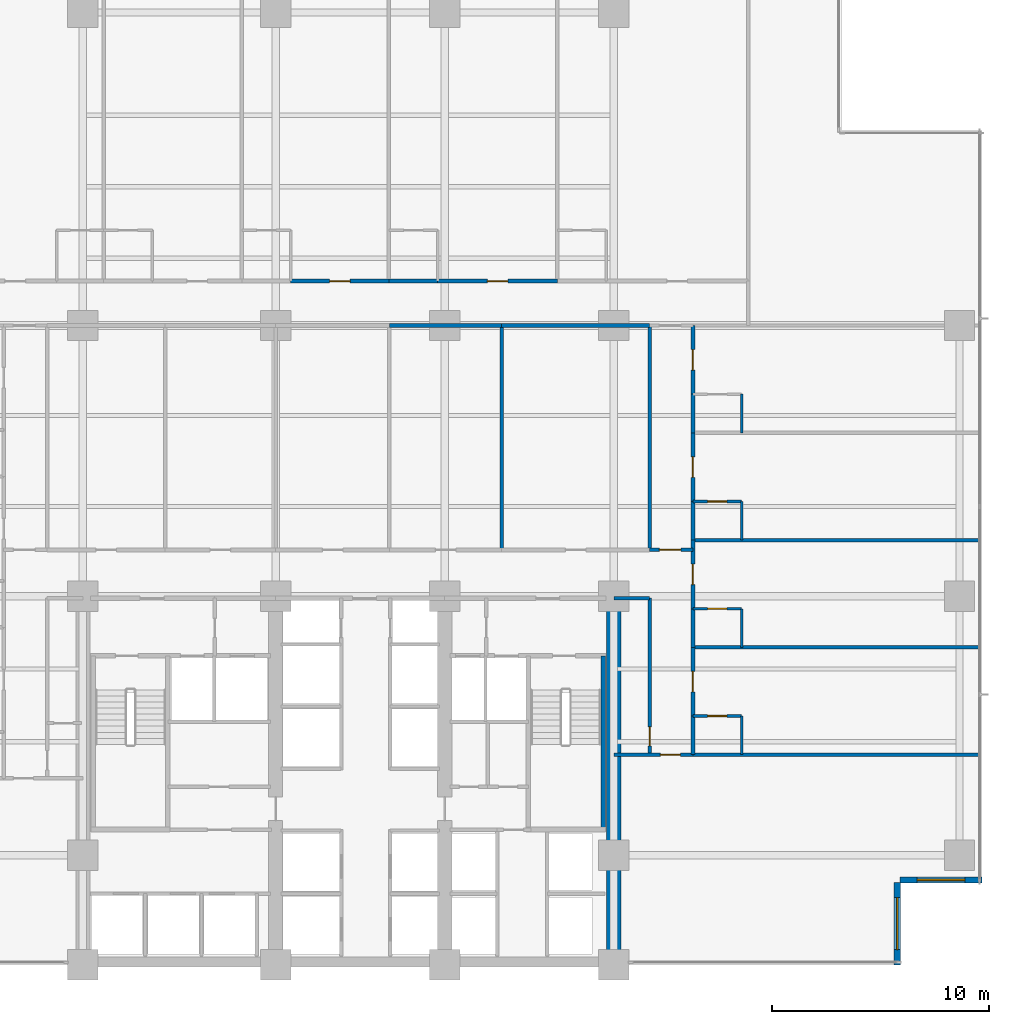
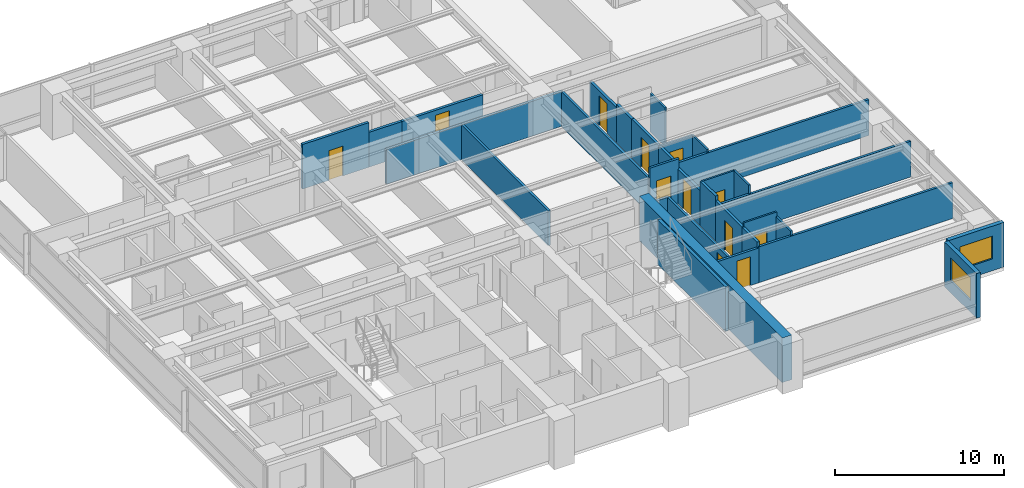
# One storey, part 10 of 17: 33 walls, 12 doors, 2 windows, 14 openings.
"""IFC4 building model written with IfcOpenShell, lengths in metres."""

from ifc_helpers import new_model, si_unit, direction, frame, frame_2d, origin, place, context, subcontext, project, spatial, rectangle, extrude, material, layer, layer_set, type_object, element, fill, save


model = new_model("IFC4")

# Units and contexts
model_context = context("Model", 3, precision=1e-05, world=origin(), true_north=direction((0.0, 1.0)))
body_context = subcontext(model_context, "Body", "Model", "MODEL_VIEW")
ifc_project = project(units=[si_unit("LENGTHUNIT", "METRE"), si_unit("AREAUNIT", "SQUARE_METRE"), si_unit("VOLUMEUNIT", "CUBIC_METRE"), si_unit("PLANEANGLEUNIT", "RADIAN"), si_unit("MASSUNIT", "GRAM", prefix="KILO")], contexts=[model_context])

# Site, building, storey
site_placement = place(None, origin())
site = spatial("IfcSite", under=ifc_project, at=site_placement, CompositionType="ELEMENT")
building_placement = place(site_placement, origin())
building = spatial("IfcBuilding", under=site, at=building_placement, Name="Qalmaran Belvedere Hotel", CompositionType="ELEMENT")
storey_placement = place(building_placement, frame((0.0, 0.0, 40.39990234375)))
storey = spatial("IfcBuildingStorey", under=building, at=storey_placement, Name="L09", CompositionType="ELEMENT", Elevation=40.39990234375)

# Wall
ifc_material_1 = material(Name="Concrete C60/75", Category="concrete")
ifc_layer_1 = layer(ifc_material_1, 0.64990234375, Name="Concrete C60/75")
ifc_layer_set_1 = layer_set([ifc_layer_1], Name="Concrete C60/75")
wall_type_1 = type_object("IfcWallType", Name="WL-CORE-650-C60", PredefinedType="SHEAR", material=ifc_layer_set_1)
wall_1_placement = place(storey_placement, frame((44.800048828125, 3.5, 0.0), z_axis=(0.0, 0.0, 1.0), x_axis=(0.0, 1.0, 0.0)))
element("IfcWall", 1, at=wall_1_placement, inside=storey, type_object=wall_type_1, Name="L09 East Core Shear Wall", PredefinedType="SHEAR", context=body_context, shape_type="SweptSolid", body=[
    extrude(rectangle(XDim=16.89990234375, YDim=0.64990234375, at=frame_2d((8.449951171875, 0.0))), origin(), (0.0, 0.0, 1.0), 3.22021484375),
])

# Wall, opening, window
ifc_material_2 = material(Name="Anodised Bronze Cladding")
ifc_layer_2 = layer(ifc_material_2, 0.280029296875, Name="Anodised Bronze Cladding")
ifc_layer_set_2 = layer_set([ifc_layer_2], Name="Anodised Bronze Cladding")
wall_type_2 = type_object("IfcWallType", Name="WL-EXT-BRNZ-280", PredefinedType="SOLIDWALL", material=ifc_layer_set_2)
wall_2_placement = place(storey_placement, frame((57.8798828125, 3.5, 0.0), z_axis=(0.0, 0.0, 1.0), x_axis=(0.0, 1.0, 0.0)))
wall_2 = element("IfcWall", 2, at=wall_2_placement, inside=storey, type_object=wall_type_2, Name="L09 Corner Notch Wall 1", PredefinedType="SOLIDWALL", context=body_context, shape_type="SweptSolid", body=[
    extrude(rectangle(XDim=3.800048828125, YDim=0.280029296875, at=frame_2d((1.89990234375, 0.0))), origin(), (0.0, 0.0, 1.0), 3.22021484375),
])
opening_1_placement = place(wall_2_placement, frame((0.699951171875, 0.0, 0.85009765625)))
opening_1 = element("IfcOpeningElement", 3, at=opening_1_placement, cuts=wall_2, Name="Opening W-N24", PredefinedType="OPENING", context=body_context, shape_type="SweptSolid", body=[
    extrude(rectangle(XDim=2.39990234375, YDim=1.64990234375, at=frame_2d((1.199951171875, 0.824951171875))), frame((0.0, 0.14990234375, 0.0), z_axis=(0.0, -1.0, 0.0), x_axis=(1.0, 0.0, 0.0)), (0.0, 0.0, 1.0), 0.300048828125),
])
ifc_material_3 = material(Name="Solar-Control Double Glazing", Category="glass")
window_type_1 = type_object("IfcWindowType", Name="WN-NTC-2400X1650", PartitioningType="SINGLE_PANEL", PredefinedType="WINDOW", material=ifc_material_3)
window_1_placement = place(opening_1_placement, origin())
window_1 = element("IfcWindow", 4, at=window_1_placement, inside=storey, type_object=window_type_1, Name="L09 Corner Notch Window 1", OverallHeight=1.64990234375, OverallWidth=2.39990234375, PartitioningType="SINGLE_PANEL", PredefinedType="WINDOW", context=body_context, shape_type="SweptSolid", body=[
    extrude(rectangle(XDim=2.39990234375, YDim=1.64990234375, at=frame_2d((1.199951171875, 0.824951171875))), frame((0.0, 0.030029296875, 0.0), z_axis=(0.0, -1.0, 0.0), x_axis=(1.0, 0.0, 0.0)), (0.0, 0.0, 1.0), 0.06005859375),
])
fill(opening_1, window_1)

wall_3_placement = place(storey_placement, frame((58.0, 7.419921875, 0.0), z_axis=(0.0, 0.0, 1.0), x_axis=(1.0, 0.0, 0.0)))
wall_3 = element("IfcWall", 5, at=wall_3_placement, inside=storey, type_object=wall_type_2, Name="L09 Corner Notch Wall 2", PredefinedType="SOLIDWALL", context=body_context, shape_type="SweptSolid", body=[
    extrude(rectangle(XDim=3.800048828125, YDim=0.280029296875, at=frame_2d((1.89990234375, 0.0))), origin(), (0.0, 0.0, 1.0), 3.22021484375),
])
opening_2_placement = place(wall_3_placement, frame((0.800048828125, 0.0, 0.85009765625)))
opening_2 = element("IfcOpeningElement", 6, at=opening_2_placement, cuts=wall_3, Name="Opening W-N22", PredefinedType="OPENING", context=body_context, shape_type="SweptSolid", body=[
    extrude(rectangle(XDim=2.199951171875, YDim=1.64990234375, at=frame_2d((1.10009765625, 0.824951171875))), frame((0.0, 0.14990234375, 0.0), z_axis=(0.0, -1.0, 0.0), x_axis=(1.0, 0.0, 0.0)), (0.0, 0.0, 1.0), 0.300048828125),
])
window_type_2 = type_object("IfcWindowType", Name="WN-NTC-2200X1650", PartitioningType="SINGLE_PANEL", PredefinedType="WINDOW", material=ifc_material_3)
window_2_placement = place(opening_2_placement, origin())
window_2 = element("IfcWindow", 7, at=window_2_placement, inside=storey, type_object=window_type_2, Name="L09 Corner Notch Window 2", OverallHeight=1.64990234375, OverallWidth=2.199951171875, PartitioningType="SINGLE_PANEL", PredefinedType="WINDOW", context=body_context, shape_type="SweptSolid", body=[
    extrude(rectangle(XDim=2.199951171875, YDim=1.64990234375, at=frame_2d((1.10009765625, 0.824951171875))), frame((0.0, 0.030029296875, 0.0), z_axis=(0.0, -1.0, 0.0), x_axis=(1.0, 0.0, 0.0)), (0.0, 0.0, 1.0), 0.06005859375),
])
fill(opening_2, window_2)

# Wall, opening, door
ifc_material_4 = material(Name="Moisture-Resistant Gypsum")
ifc_layer_3 = layer(ifc_material_4, 0.1201171875, Name="Moisture-Resistant Gypsum")
ifc_layer_set_3 = layer_set([ifc_layer_3], Name="Moisture-Resistant Gypsum")
wall_type_3 = type_object("IfcWallType", Name="WL-INT-120-BATH", PredefinedType="PARTITIONING", material=ifc_layer_set_3)
wall_4_placement = place(storey_placement, frame((48.449951171875, 14.97998046875, 0.0), z_axis=(0.0, 0.0, 1.0), x_axis=(1.0, 0.0, 0.0)))
wall_4 = element("IfcWall", 8, at=wall_4_placement, inside=storey, type_object=wall_type_3, Name="L09 Partition WL-L09-EBN00", PredefinedType="PARTITIONING", context=body_context, shape_type="SweptSolid", body=[
    extrude(rectangle(XDim=2.25, YDim=0.1201171875, at=frame_2d((1.125, 0.0))), origin(), (0.0, 0.0, 1.0), 3.22021484375),
])
opening_3_placement = place(wall_4_placement, frame((1.56494140625, 0.0, 0.0), z_axis=(0.0, 0.0, 1.0), x_axis=(-1.0, 0.0, 0.0)))
opening_3 = element("IfcOpeningElement", 9, at=opening_3_placement, cuts=wall_4, Name="Opening D-BATH", PredefinedType="OPENING", context=body_context, shape_type="SweptSolid", body=[
    extrude(rectangle(XDim=0.8798828125, YDim=2.080078125, at=frame_2d((0.43994140625, 1.0400390625))), frame((0.0, 0.070068359375, 0.0), z_axis=(0.0, -1.0, 0.0), x_axis=(1.0, 0.0, 0.0)), (0.0, 0.0, 1.0), 0.14013671875),
])
ifc_material_5 = material(Name="Engineered Oak Veneer")
door_type_1 = type_object("IfcDoorType", Name="DR-INT-BATH-880X2080", OperationType="NOTDEFINED", PredefinedType="DOOR", material=ifc_material_5)
door_1_placement = place(opening_3_placement, origin())
door_1 = element("IfcDoor", 10, at=door_1_placement, inside=storey, type_object=door_type_1, Name="L09 E Ensuite Door 01", OperationType="SINGLE_SWING_LEFT", OverallHeight=2.080078125, OverallWidth=0.8798828125, PredefinedType="DOOR", context=body_context, shape_type="SweptSolid", body=[
    extrude(rectangle(XDim=0.8798828125, YDim=2.080078125, at=frame_2d((0.43994140625, 1.0400390625))), frame((0.0, 0.02490234375, 0.0), z_axis=(0.0, -1.0, 0.0), x_axis=(1.0, 0.0, 0.0)), (0.0, 0.0, 1.0), 0.050048828125),
])
fill(opening_3, door_1)

# Wall
wall_5_placement = place(storey_placement, frame((50.699951171875, 13.199951171875, 0.0), z_axis=(0.0, 0.0, 1.0), x_axis=(0.0, 1.0, 0.0)))
element("IfcWall", 11, at=wall_5_placement, inside=storey, type_object=wall_type_3, Name="L09 Partition WL-L09-EBS00", PredefinedType="PARTITIONING", context=body_context, shape_type="SweptSolid", body=[
    extrude(rectangle(XDim=1.780029296875, YDim=0.1201171875, at=frame_2d((0.89013671875, 0.0))), origin(), (0.0, 0.0, 1.0), 2.902099609375),
])

# Wall, opening, door
wall_6_placement = place(storey_placement, frame((48.449951171875, 19.929931640625, 0.0), z_axis=(0.0, 0.0, 1.0), x_axis=(1.0, 0.0, 0.0)))
wall_6 = element("IfcWall", 12, at=wall_6_placement, inside=storey, type_object=wall_type_3, Name="L09 Partition WL-L09-EBN01", PredefinedType="PARTITIONING", context=body_context, shape_type="SweptSolid", body=[
    extrude(rectangle(XDim=2.25, YDim=0.1201171875, at=frame_2d((1.125, 0.0))), origin(), (0.0, 0.0, 1.0), 3.22021484375),
])
opening_4_placement = place(wall_6_placement, frame((1.56494140625, 0.0, 0.0), z_axis=(0.0, 0.0, 1.0), x_axis=(-1.0, 0.0, 0.0)))
opening_4 = element("IfcOpeningElement", 13, at=opening_4_placement, cuts=wall_6, Name="Opening D-BATH", PredefinedType="OPENING", context=body_context, shape_type="SweptSolid", body=[
    extrude(rectangle(XDim=0.8798828125, YDim=2.080078125, at=frame_2d((0.43994140625, 1.0400390625))), frame((0.0, 0.070068359375, 0.0), z_axis=(0.0, -1.0, 0.0), x_axis=(1.0, 0.0, 0.0)), (0.0, 0.0, 1.0), 0.14013671875),
])
door_2_placement = place(opening_4_placement, origin())
door_2 = element("IfcDoor", 14, at=door_2_placement, inside=storey, type_object=door_type_1, Name="L09 E Ensuite Door 02", OperationType="SINGLE_SWING_LEFT", OverallHeight=2.080078125, OverallWidth=0.8798828125, PredefinedType="DOOR", context=body_context, shape_type="SweptSolid", body=[
    extrude(rectangle(XDim=0.8798828125, YDim=2.080078125, at=frame_2d((0.43994140625, 1.0400390625))), frame((0.0, 0.02490234375, 0.0), z_axis=(0.0, -1.0, 0.0), x_axis=(1.0, 0.0, 0.0)), (0.0, 0.0, 1.0), 0.050048828125),
])
fill(opening_4, door_2)

# Wall
wall_7_placement = place(storey_placement, frame((50.699951171875, 18.14990234375, 0.0), z_axis=(0.0, 0.0, 1.0), x_axis=(0.0, 1.0, 0.0)))
element("IfcWall", 15, at=wall_7_placement, inside=storey, type_object=wall_type_3, Name="L09 Partition WL-L09-EBS01", PredefinedType="PARTITIONING", context=body_context, shape_type="SweptSolid", body=[
    extrude(rectangle(XDim=1.780029296875, YDim=0.1201171875, at=frame_2d((0.89013671875, 0.0))), origin(), (0.0, 0.0, 1.0), 3.22021484375),
])

# Wall, opening, door
wall_8_placement = place(storey_placement, frame((48.449951171875, 24.8798828125, 0.0), z_axis=(0.0, 0.0, 1.0), x_axis=(1.0, 0.0, 0.0)))
wall_8 = element("IfcWall", 16, at=wall_8_placement, inside=storey, type_object=wall_type_3, Name="L09 Partition WL-L09-EBN02", PredefinedType="PARTITIONING", context=body_context, shape_type="SweptSolid", body=[
    extrude(rectangle(XDim=2.25, YDim=0.1201171875, at=frame_2d((1.125, 0.0))), origin(), (0.0, 0.0, 1.0), 2.7880859375),
])
opening_5_placement = place(wall_8_placement, frame((1.56494140625, 0.0, 0.0), z_axis=(0.0, 0.0, 1.0), x_axis=(-1.0, 0.0, 0.0)))
opening_5 = element("IfcOpeningElement", 17, at=opening_5_placement, cuts=wall_8, Name="Opening D-BATH", PredefinedType="OPENING", context=body_context, shape_type="SweptSolid", body=[
    extrude(rectangle(XDim=0.8798828125, YDim=2.080078125, at=frame_2d((0.43994140625, 1.0400390625))), frame((0.0, 0.070068359375, 0.0), z_axis=(0.0, -1.0, 0.0), x_axis=(1.0, 0.0, 0.0)), (0.0, 0.0, 1.0), 0.14013671875),
])
door_3_placement = place(opening_5_placement, origin())
door_3 = element("IfcDoor", 18, at=door_3_placement, inside=storey, type_object=door_type_1, Name="L09 E Ensuite Door 03", OperationType="SINGLE_SWING_LEFT", OverallHeight=2.080078125, OverallWidth=0.8798828125, PredefinedType="DOOR", context=body_context, shape_type="SweptSolid", body=[
    extrude(rectangle(XDim=0.8798828125, YDim=2.080078125, at=frame_2d((0.43994140625, 1.0400390625))), frame((0.0, 0.02490234375, 0.0), z_axis=(0.0, -1.0, 0.0), x_axis=(1.0, 0.0, 0.0)), (0.0, 0.0, 1.0), 0.050048828125),
])
fill(opening_5, door_3)

# Walls
wall_9_placement = place(storey_placement, frame((50.699951171875, 23.10009765625, 0.0), z_axis=(0.0, 0.0, 1.0), x_axis=(0.0, 1.0, 0.0)))
element("IfcWall", 19, at=wall_9_placement, inside=storey, type_object=wall_type_3, Name="L09 Partition WL-L09-EBS02", PredefinedType="PARTITIONING", context=body_context, shape_type="SweptSolid", body=[
    extrude(rectangle(XDim=1.77978515625, YDim=0.1201171875, at=frame_2d((0.889892578125, 0.0))), origin(), (0.0, 0.0, 1.0), 2.7880859375),
])
wall_10_placement = place(storey_placement, frame((50.699951171875, 28.050048828125, 0.0), z_axis=(0.0, 0.0, 1.0), x_axis=(0.0, 1.0, 0.0)))
element("IfcWall", 20, at=wall_10_placement, inside=storey, type_object=wall_type_3, Name="L09 Partition WL-L09-EBS03", PredefinedType="PARTITIONING", context=body_context, shape_type="SweptSolid", body=[
    extrude(rectangle(XDim=1.780029296875, YDim=0.1201171875, at=frame_2d((0.89013671875, 0.0))), origin(), (0.0, 0.0, 1.0), 2.7880859375),
])

# Wall, opening, door
ifc_material_6 = material(Name="Gypsum Stud Partition")
ifc_layer_4 = layer(ifc_material_6, 0.14990234375, Name="Gypsum Stud Partition")
ifc_layer_set_4 = layer_set([ifc_layer_4], Name="Gypsum Stud Partition")
wall_type_4 = type_object("IfcWallType", Name="WL-INT-150-EI60", PredefinedType="PARTITIONING", material=ifc_layer_set_4)
wall_11_placement = place(storey_placement, frame((46.449951171875, 22.64990234375, 0.0), z_axis=(0.0, 0.0, 1.0), x_axis=(1.0, 0.0, 0.0)))
wall_11 = element("IfcWall", 21, at=wall_11_placement, inside=storey, type_object=wall_type_4, Name="L09 Partition WL-L09-XCE1", PredefinedType="PARTITIONING", context=body_context, shape_type="SweptSolid", body=[
    extrude(rectangle(XDim=2.0, YDim=0.14990234375, at=frame_2d((1.0, 0.0))), origin(), (0.0, 0.0, 1.0), 3.22021484375),
])
opening_6_placement = place(wall_11_placement, frame((0.449951171875, 0.0, 0.0)))
opening_6 = element("IfcOpeningElement", 22, at=opening_6_placement, cuts=wall_11, Name="Opening FD90B", PredefinedType="OPENING", context=body_context, shape_type="SweptSolid", body=[
    extrude(rectangle(XDim=1.0, YDim=2.14990234375, at=frame_2d((0.5, 1.074951171875))), frame((0.0, 0.0849609375, 0.0), z_axis=(0.0, -1.0, 0.0), x_axis=(1.0, 0.0, 0.0)), (0.0, 0.0, 1.0), 0.169921875),
])
ifc_material_7 = material(Name="Steel S355JR", Category="steel")
door_type_2 = type_object("IfcDoorType", Name="DR-FD90B-1000X2150", OperationType="NOTDEFINED", PredefinedType="DOOR", material=ifc_material_7)
door_4_placement = place(opening_6_placement, origin())
door_4 = element("IfcDoor", 23, at=door_4_placement, inside=storey, type_object=door_type_2, Name="L09 East Corridor Smoke Door S", OperationType="SINGLE_SWING_RIGHT", OverallHeight=2.14990234375, OverallWidth=1.0, PredefinedType="DOOR", context=body_context, shape_type="SweptSolid", body=[
    extrude(rectangle(XDim=1.0, YDim=2.14990234375, at=frame_2d((0.5, 1.074951171875))), frame((0.0, 0.02490234375, 0.0), z_axis=(0.0, -1.0, 0.0), x_axis=(1.0, 0.0, 0.0)), (0.0, 0.0, 1.0), 0.050048828125),
])
fill(opening_6, door_4)

ifc_layer_5 = layer(ifc_material_6, 0.159912109375, Name="Gypsum Stud Partition")
ifc_layer_set_5 = layer_set([ifc_layer_5], Name="Gypsum Stud Partition")
wall_type_5 = type_object("IfcWallType", Name="WL-INT-160-EI60", PredefinedType="PARTITIONING", material=ifc_layer_set_5)
wall_12_placement = place(storey_placement, frame((44.800048828125, 13.199951171875, 0.0), z_axis=(0.0, 0.0, 1.0), x_axis=(1.0, 0.0, 0.0)))
wall_12 = element("IfcWall", 24, at=wall_12_placement, inside=storey, type_object=wall_type_5, Name="L09 Partition WL-L09-SERL", PredefinedType="PARTITIONING", context=body_context, shape_type="SweptSolid", body=[
    extrude(rectangle(XDim=3.64990234375, YDim=0.159912109375, at=frame_2d((1.824951171875, 0.0))), origin(), (0.0, 0.0, 1.0), 2.510009765625),
])
opening_7_placement = place(wall_12_placement, frame((3.06982421875, 0.0, 0.0), z_axis=(0.0, 0.0, 1.0), x_axis=(-1.0, 0.0, 0.0)))
opening_7 = element("IfcOpeningElement", 25, at=opening_7_placement, cuts=wall_12, Name="Opening FD60S1", PredefinedType="OPENING", context=body_context, shape_type="SweptSolid", body=[
    extrude(rectangle(XDim=0.919921875, YDim=2.080078125, at=frame_2d((0.4599609375, 1.0400390625))), frame((0.0, 0.08984375, 0.0), z_axis=(0.0, -1.0, 0.0), x_axis=(1.0, 0.0, 0.0)), (0.0, 0.0, 1.0), 0.179931640625),
])
door_type_3 = type_object("IfcDoorType", Name="DR-FD60S-920X2080", OperationType="NOTDEFINED", PredefinedType="DOOR", material=ifc_material_5)
door_5_placement = place(opening_7_placement, origin())
door_5 = element("IfcDoor", 26, at=door_5_placement, inside=storey, type_object=door_type_3, Name="L09 SE Lounge Door", OperationType="SINGLE_SWING_LEFT", OverallHeight=2.080078125, OverallWidth=0.919921875, PredefinedType="DOOR", context=body_context, shape_type="SweptSolid", body=[
    extrude(rectangle(XDim=0.919921875, YDim=2.080078125, at=frame_2d((0.4599609375, 1.0400390625))), frame((0.0, 0.02490234375, 0.0), z_axis=(0.0, -1.0, 0.0), x_axis=(1.0, 0.0, 0.0)), (0.0, 0.0, 1.0), 0.050048828125),
])
fill(opening_7, door_5)

wall_13_placement = place(storey_placement, frame((46.449951171875, 13.199951171875, 0.0), z_axis=(0.0, 0.0, 1.0), x_axis=(0.0, 1.0, 0.0)))
wall_13 = element("IfcWall", 27, at=wall_13_placement, inside=storey, type_object=wall_type_5, Name="L09 Partition WL-L09-ECL", PredefinedType="PARTITIONING", context=body_context, shape_type="SweptSolid", body=[
    extrude(rectangle(XDim=7.219970703125, YDim=0.159912109375, at=frame_2d((3.60986328125, 0.0))), origin(), (0.0, 0.0, 1.0), 2.510009765625),
])
opening_8_placement = place(wall_13_placement, frame((0.39990234375, 0.0, 0.0)))
opening_8 = element("IfcOpeningElement", 28, at=opening_8_placement, cuts=wall_13, Name="Opening FD60B", PredefinedType="OPENING", context=body_context, shape_type="SweptSolid", body=[
    extrude(rectangle(XDim=0.8798828125, YDim=2.080078125, at=frame_2d((0.43994140625, 1.0400390625))), frame((0.0, 0.08984375, 0.0), z_axis=(0.0, -1.0, 0.0), x_axis=(1.0, 0.0, 0.0)), (0.0, 0.0, 1.0), 0.179931640625),
])
door_type_4 = type_object("IfcDoorType", Name="DR-FD60B-880X2080", OperationType="NOTDEFINED", PredefinedType="DOOR", material=ifc_material_7)
door_6_placement = place(opening_8_placement, origin())
door_6 = element("IfcDoor", 29, at=door_6_placement, inside=storey, type_object=door_type_4, Name="L09 East Closet Door", OperationType="SINGLE_SWING_LEFT", OverallHeight=2.080078125, OverallWidth=0.8798828125, PredefinedType="DOOR", context=body_context, shape_type="SweptSolid", body=[
    extrude(rectangle(XDim=0.8798828125, YDim=2.080078125, at=frame_2d((0.43994140625, 1.0400390625))), frame((0.0, 0.02490234375, 0.0), z_axis=(0.0, -1.0, 0.0), x_axis=(1.0, 0.0, 0.0)), (0.0, 0.0, 1.0), 0.050048828125),
])
fill(opening_8, door_6)

# Walls
wall_14_placement = place(storey_placement, frame((44.800048828125, 20.419921875, 0.0), z_axis=(0.0, 0.0, 1.0), x_axis=(1.0, 0.0, 0.0)))
element("IfcWall", 30, at=wall_14_placement, inside=storey, type_object=wall_type_5, Name="L09 Partition WL-L09-ECLN", PredefinedType="PARTITIONING", context=body_context, shape_type="SweptSolid", body=[
    extrude(rectangle(XDim=1.64990234375, YDim=0.159912109375, at=frame_2d((0.824951171875, 0.0))), origin(), (0.0, 0.0, 1.0), 2.510009765625),
])
for number, where, z_axis, x_axis, name in (
    (31, (39.625, 22.64990234375, 0.0), (0.0, 0.0, 1.0), (0.0, 1.0, 0.0), "L09 Partition WL-L09-MIDVR4"),
    (32, (46.449951171875, 22.64990234375, 0.0), (0.0, 0.0, 1.0), (0.0, 1.0, 0.0), "L09 Partition WL-L09-MIDVR5"),
):
    element("IfcWall", number, at=place(storey_placement, frame(where, z_axis=z_axis, x_axis=x_axis)), inside=storey, type_object=wall_type_5, Name=name, PredefinedType="PARTITIONING", context=body_context, shape_type="SweptSolid", body=[
        extrude(rectangle(XDim=10.35009765625, YDim=0.159912109375, at=frame_2d((5.175048828125, 0.0))), origin(), (0.0, 0.0, 1.0), 2.510009765625),
    ])
for number, where, z_axis, x_axis, name in (
    (33, (48.449951171875, 13.199951171875, 0.0), (0.0, 0.0, 1.0), (1.0, 0.0, 0.0), "L09 Partition WL-L09-EBOT"),
    (34, (48.449951171875, 18.14990234375, 0.0), (0.0, 0.0, 1.0), (1.0, 0.0, 0.0), "L09 Partition WL-L09-EU00"),
    (35, (48.449951171875, 23.10009765625, 0.0), (0.0, 0.0, 1.0), (1.0, 0.0, 0.0), "L09 Partition WL-L09-EU01"),
):
    element("IfcWall", number, at=place(storey_placement, frame(where, z_axis=z_axis, x_axis=x_axis)), inside=storey, type_object=wall_type_5, Name=name, PredefinedType="PARTITIONING", context=body_context, shape_type="SweptSolid", body=[
        extrude(rectangle(XDim=13.22998046875, YDim=0.159912109375, at=frame_2d((6.614990234375, 0.0))), origin(), (0.0, 0.0, 1.0), 2.5830078125),
    ])
ifc_layer_6 = layer(ifc_material_6, 0.179931640625, Name="Gypsum Stud Partition")
ifc_layer_set_6 = layer_set([ifc_layer_6], Name="Gypsum Stud Partition")
wall_type_6 = type_object("IfcWallType", Name="WL-INT-180-EI60", PredefinedType="PARTITIONING", material=ifc_layer_set_6)
wall_15_placement = place(storey_placement, frame((34.449951171875, 33.0, 0.0), z_axis=(0.0, 0.0, 1.0), x_axis=(1.0, 0.0, 0.0)))
element("IfcWall", 36, at=wall_15_placement, inside=storey, type_object=wall_type_6, Name="L09 Partition WL-L09-MIDO4", PredefinedType="PARTITIONING", context=body_context, shape_type="SweptSolid", body=[
    extrude(rectangle(XDim=5.175048828125, YDim=0.179931640625, at=frame_2d((2.58740234375, 0.0))), origin(), (0.0, 0.0, 1.0), 2.510009765625),
])
wall_16_placement = place(storey_placement, frame((39.625, 33.0, 0.0), z_axis=(0.0, 0.0, 1.0), x_axis=(1.0, 0.0, 0.0)))
element("IfcWall", 37, at=wall_16_placement, inside=storey, type_object=wall_type_6, Name="L09 Partition WL-L09-MIDO5", PredefinedType="PARTITIONING", context=body_context, shape_type="SweptSolid", body=[
    extrude(rectangle(XDim=6.824951171875, YDim=0.179931640625, at=frame_2d((3.41259765625, 0.0))), origin(), (0.0, 0.0, 1.0), 2.510009765625),
])

# Wall, opening, door
wall_17_placement = place(storey_placement, frame((29.89208984375, 35.050048828125, 0.0), z_axis=(0.0, 0.0, 1.0), x_axis=(1.0, 0.0, 0.0)))
wall_17 = element("IfcWall", 38, at=wall_17_placement, inside=storey, type_object=wall_type_6, Name="L09 Partition WL-L09-NEC02", PredefinedType="PARTITIONING", context=body_context, shape_type="SweptSolid", body=[
    extrude(rectangle(XDim=4.53466796875, YDim=0.179931640625, at=frame_2d((2.267333984375, 0.0))), origin(), (0.0, 0.0, 1.0), 3.22021484375),
])
opening_9_placement = place(wall_17_placement, frame((1.79248046875, 0.0, 0.0)))
opening_9 = element("IfcOpeningElement", 39, at=opening_9_placement, cuts=wall_17, Name="Opening FD60", PredefinedType="OPENING", context=body_context, shape_type="SweptSolid", body=[
    extrude(rectangle(XDim=0.949951171875, YDim=2.14990234375, at=frame_2d((0.47509765625, 1.074951171875))), frame((0.0, 0.10009765625, 0.0), z_axis=(0.0, -1.0, 0.0), x_axis=(1.0, 0.0, 0.0)), (0.0, 0.0, 1.0), 0.199951171875),
])
door_type_5 = type_object("IfcDoorType", Name="DR-FD60-950X2150", OperationType="NOTDEFINED", PredefinedType="DOOR", material=ifc_material_5)
door_7_placement = place(opening_9_placement, origin())
door_7 = element("IfcDoor", 40, at=door_7_placement, inside=storey, type_object=door_type_5, Name="L09 Guest Entrance Door N03", OperationType="SINGLE_SWING_RIGHT", OverallHeight=2.14990234375, OverallWidth=0.949951171875, PredefinedType="DOOR", context=body_context, shape_type="SweptSolid", body=[
    extrude(rectangle(XDim=0.949951171875, YDim=2.14990234375, at=frame_2d((0.47509765625, 1.074951171875))), frame((0.0, 0.02490234375, 0.0), z_axis=(0.0, -1.0, 0.0), x_axis=(1.0, 0.0, 0.0)), (0.0, 0.0, 1.0), 0.050048828125),
])
fill(opening_9, door_7)

# Wall
wall_18_placement = place(storey_placement, frame((34.4267578125, 35.050048828125, 0.0), z_axis=(0.0, 0.0, 1.0), x_axis=(1.0, 0.0, 0.0)))
element("IfcWall", 41, at=wall_18_placement, inside=storey, type_object=wall_type_6, Name="L09 Partition WL-L09-NBC03", PredefinedType="PARTITIONING", context=body_context, shape_type="SweptSolid", body=[
    extrude(rectangle(XDim=2.25, YDim=0.179931640625, at=frame_2d((1.125, 0.0))), origin(), (0.0, 0.0, 1.0), 2.510009765625),
])

# Wall, opening, door
wall_19_placement = place(storey_placement, frame((36.6767578125, 35.050048828125, 0.0), z_axis=(0.0, 0.0, 1.0), x_axis=(1.0, 0.0, 0.0)))
wall_19 = element("IfcWall", 42, at=wall_19_placement, inside=storey, type_object=wall_type_6, Name="L09 Partition WL-L09-NEC03", PredefinedType="PARTITIONING", context=body_context, shape_type="SweptSolid", body=[
    extrude(rectangle(XDim=5.523193359375, YDim=0.179931640625, at=frame_2d((2.76171875, 0.0))), origin(), (0.0, 0.0, 1.0), 2.510009765625),
])
opening_10_placement = place(wall_19_placement, frame((2.28662109375, 0.0, 0.0)))
opening_10 = element("IfcOpeningElement", 43, at=opening_10_placement, cuts=wall_19, Name="Opening FD60", PredefinedType="OPENING", context=body_context, shape_type="SweptSolid", body=[
    extrude(rectangle(XDim=0.949951171875, YDim=2.14990234375, at=frame_2d((0.47509765625, 1.074951171875))), frame((0.0, 0.10009765625, 0.0), z_axis=(0.0, -1.0, 0.0), x_axis=(1.0, 0.0, 0.0)), (0.0, 0.0, 1.0), 0.199951171875),
])
door_8_placement = place(opening_10_placement, origin())
door_8 = element("IfcDoor", 44, at=door_8_placement, inside=storey, type_object=door_type_5, Name="L09 Guest Entrance Door N04", OperationType="SINGLE_SWING_RIGHT", OverallHeight=2.14990234375, OverallWidth=0.949951171875, PredefinedType="DOOR", context=body_context, shape_type="SweptSolid", body=[
    extrude(rectangle(XDim=0.949951171875, YDim=2.14990234375, at=frame_2d((0.47509765625, 1.074951171875))), frame((0.0, 0.02490234375, 0.0), z_axis=(0.0, -1.0, 0.0), x_axis=(1.0, 0.0, 0.0)), (0.0, 0.0, 1.0), 0.050048828125),
])
fill(opening_10, door_8)

# Wall
wall_20_placement = place(storey_placement, frame((48.449951171875, 13.199951171875, 0.0), z_axis=(0.0, 0.0, 1.0), x_axis=(0.0, 1.0, 0.0)))
element("IfcWall", 45, at=wall_20_placement, inside=storey, type_object=wall_type_6, Name="L09 Partition WL-L09-EBC00", PredefinedType="PARTITIONING", context=body_context, shape_type="SweptSolid", body=[
    extrude(rectangle(XDim=1.780029296875, YDim=0.179931640625, at=frame_2d((0.89013671875, 0.0))), origin(), (0.0, 0.0, 1.0), 2.902099609375),
])

# Wall, opening, door
wall_21_placement = place(storey_placement, frame((48.449951171875, 14.97998046875, 0.0), z_axis=(0.0, 0.0, 1.0), x_axis=(0.0, 1.0, 0.0)))
wall_21 = element("IfcWall", 46, at=wall_21_placement, inside=storey, type_object=wall_type_6, Name="L09 Partition WL-L09-EEC00", PredefinedType="PARTITIONING", context=body_context, shape_type="SweptSolid", body=[
    extrude(rectangle(XDim=3.169921875, YDim=0.179931640625, at=frame_2d((1.5849609375, 0.0))), origin(), (0.0, 0.0, 1.0), 2.902099609375),
])
opening_11_placement = place(wall_21_placement, frame((2.06005859375, 0.0, 0.0), z_axis=(0.0, 0.0, 1.0), x_axis=(-1.0, 0.0, 0.0)))
opening_11 = element("IfcOpeningElement", 47, at=opening_11_placement, cuts=wall_21, Name="Opening FD60", PredefinedType="OPENING", context=body_context, shape_type="SweptSolid", body=[
    extrude(rectangle(XDim=0.949951171875, YDim=2.14990234375, at=frame_2d((0.47509765625, 1.074951171875))), frame((0.0, 0.10009765625, 0.0), z_axis=(0.0, -1.0, 0.0), x_axis=(1.0, 0.0, 0.0)), (0.0, 0.0, 1.0), 0.199951171875),
])
door_9_placement = place(opening_11_placement, origin())
door_9 = element("IfcDoor", 48, at=door_9_placement, inside=storey, type_object=door_type_5, Name="L09 E Wing Door 01", OperationType="SINGLE_SWING_RIGHT", OverallHeight=2.14990234375, OverallWidth=0.949951171875, PredefinedType="DOOR", context=body_context, shape_type="SweptSolid", body=[
    extrude(rectangle(XDim=0.949951171875, YDim=2.14990234375, at=frame_2d((0.47509765625, 1.074951171875))), frame((0.0, 0.02490234375, 0.0), z_axis=(0.0, -1.0, 0.0), x_axis=(1.0, 0.0, 0.0)), (0.0, 0.0, 1.0), 0.050048828125),
])
fill(opening_11, door_9)

# Wall
wall_22_placement = place(storey_placement, frame((48.449951171875, 18.14990234375, 0.0), z_axis=(0.0, 0.0, 1.0), x_axis=(0.0, 1.0, 0.0)))
element("IfcWall", 49, at=wall_22_placement, inside=storey, type_object=wall_type_6, Name="L09 Partition WL-L09-EBC01", PredefinedType="PARTITIONING", context=body_context, shape_type="SweptSolid", body=[
    extrude(rectangle(XDim=1.780029296875, YDim=0.179931640625, at=frame_2d((0.89013671875, 0.0))), origin(), (0.0, 0.0, 1.0), 3.22021484375),
])

# Wall, opening, door
wall_23_placement = place(storey_placement, frame((48.449951171875, 19.929931640625, 0.0), z_axis=(0.0, 0.0, 1.0), x_axis=(0.0, 1.0, 0.0)))
wall_23 = element("IfcWall", 50, at=wall_23_placement, inside=storey, type_object=wall_type_6, Name="L09 Partition WL-L09-EEC01", PredefinedType="PARTITIONING", context=body_context, shape_type="SweptSolid", body=[
    extrude(rectangle(XDim=3.170166015625, YDim=0.179931640625, at=frame_2d((1.5849609375, 0.0))), origin(), (0.0, 0.0, 1.0), 2.510009765625),
])
opening_12_placement = place(wall_23_placement, frame((2.06005859375, 0.0, 0.0), z_axis=(0.0, 0.0, 1.0), x_axis=(-1.0, 0.0, 0.0)))
opening_12 = element("IfcOpeningElement", 51, at=opening_12_placement, cuts=wall_23, Name="Opening FD60", PredefinedType="OPENING", context=body_context, shape_type="SweptSolid", body=[
    extrude(rectangle(XDim=0.949951171875, YDim=2.14990234375, at=frame_2d((0.47509765625, 1.074951171875))), frame((0.0, 0.10009765625, 0.0), z_axis=(0.0, -1.0, 0.0), x_axis=(1.0, 0.0, 0.0)), (0.0, 0.0, 1.0), 0.199951171875),
])
door_10_placement = place(opening_12_placement, origin())
door_10 = element("IfcDoor", 52, at=door_10_placement, inside=storey, type_object=door_type_5, Name="L09 E Wing Door 02", OperationType="SINGLE_SWING_RIGHT", OverallHeight=2.14990234375, OverallWidth=0.949951171875, PredefinedType="DOOR", context=body_context, shape_type="SweptSolid", body=[
    extrude(rectangle(XDim=0.949951171875, YDim=2.14990234375, at=frame_2d((0.47509765625, 1.074951171875))), frame((0.0, 0.02490234375, 0.0), z_axis=(0.0, -1.0, 0.0), x_axis=(1.0, 0.0, 0.0)), (0.0, 0.0, 1.0), 0.050048828125),
])
fill(opening_12, door_10)

# Wall
wall_24_placement = place(storey_placement, frame((48.449951171875, 23.10009765625, 0.0), z_axis=(0.0, 0.0, 1.0), x_axis=(0.0, 1.0, 0.0)))
element("IfcWall", 53, at=wall_24_placement, inside=storey, type_object=wall_type_6, Name="L09 Partition WL-L09-EBC02", PredefinedType="PARTITIONING", context=body_context, shape_type="SweptSolid", body=[
    extrude(rectangle(XDim=1.77978515625, YDim=0.179931640625, at=frame_2d((0.889892578125, 0.0))), origin(), (0.0, 0.0, 1.0), 2.7880859375),
])

# Wall, opening, door
wall_25_placement = place(storey_placement, frame((48.449951171875, 24.8798828125, 0.0), z_axis=(0.0, 0.0, 1.0), x_axis=(0.0, 1.0, 0.0)))
wall_25 = element("IfcWall", 54, at=wall_25_placement, inside=storey, type_object=wall_type_6, Name="L09 Partition WL-L09-EEC02", PredefinedType="PARTITIONING", context=body_context, shape_type="SweptSolid", body=[
    extrude(rectangle(XDim=3.170166015625, YDim=0.179931640625, at=frame_2d((1.5849609375, 0.0))), origin(), (0.0, 0.0, 1.0), 2.7880859375),
])
opening_13_placement = place(wall_25_placement, frame((2.06005859375, 0.0, 0.0), z_axis=(0.0, 0.0, 1.0), x_axis=(-1.0, 0.0, 0.0)))
opening_13 = element("IfcOpeningElement", 55, at=opening_13_placement, cuts=wall_25, Name="Opening FD60", PredefinedType="OPENING", context=body_context, shape_type="SweptSolid", body=[
    extrude(rectangle(XDim=0.949951171875, YDim=2.14990234375, at=frame_2d((0.47509765625, 1.074951171875))), frame((0.0, 0.10009765625, 0.0), z_axis=(0.0, -1.0, 0.0), x_axis=(1.0, 0.0, 0.0)), (0.0, 0.0, 1.0), 0.199951171875),
])
door_11_placement = place(opening_13_placement, origin())
door_11 = element("IfcDoor", 56, at=door_11_placement, inside=storey, type_object=door_type_5, Name="L09 E Wing Door 03", OperationType="SINGLE_SWING_RIGHT", OverallHeight=2.14990234375, OverallWidth=0.949951171875, PredefinedType="DOOR", context=body_context, shape_type="SweptSolid", body=[
    extrude(rectangle(XDim=0.949951171875, YDim=2.14990234375, at=frame_2d((0.47509765625, 1.074951171875))), frame((0.0, 0.02490234375, 0.0), z_axis=(0.0, -1.0, 0.0), x_axis=(1.0, 0.0, 0.0)), (0.0, 0.0, 1.0), 0.050048828125),
])
fill(opening_13, door_11)

# Wall
wall_26_placement = place(storey_placement, frame((48.449951171875, 28.050048828125, 0.0), z_axis=(0.0, 0.0, 1.0), x_axis=(0.0, 1.0, 0.0)))
element("IfcWall", 57, at=wall_26_placement, inside=storey, type_object=wall_type_6, Name="L09 Partition WL-L09-EBC03", PredefinedType="PARTITIONING", context=body_context, shape_type="SweptSolid", body=[
    extrude(rectangle(XDim=1.780029296875, YDim=0.179931640625, at=frame_2d((0.89013671875, 0.0))), origin(), (0.0, 0.0, 1.0), 2.7880859375),
])

# Wall, opening, door
wall_27_placement = place(storey_placement, frame((48.449951171875, 29.830078125, 0.0), z_axis=(0.0, 0.0, 1.0), x_axis=(0.0, 1.0, 0.0)))
wall_27 = element("IfcWall", 58, at=wall_27_placement, inside=storey, type_object=wall_type_6, Name="L09 Partition WL-L09-EEC03", PredefinedType="PARTITIONING", context=body_context, shape_type="SweptSolid", body=[
    extrude(rectangle(XDim=3.169921875, YDim=0.179931640625, at=frame_2d((1.5849609375, 0.0))), origin(), (0.0, 0.0, 1.0), 2.510009765625),
])
opening_14_placement = place(wall_27_placement, frame((2.06005859375, 0.0, 0.0), z_axis=(0.0, 0.0, 1.0), x_axis=(-1.0, 0.0, 0.0)))
opening_14 = element("IfcOpeningElement", 59, at=opening_14_placement, cuts=wall_27, Name="Opening FD60", PredefinedType="OPENING", context=body_context, shape_type="SweptSolid", body=[
    extrude(rectangle(XDim=0.949951171875, YDim=2.14990234375, at=frame_2d((0.47509765625, 1.074951171875))), frame((0.0, 0.10009765625, 0.0), z_axis=(0.0, -1.0, 0.0), x_axis=(1.0, 0.0, 0.0)), (0.0, 0.0, 1.0), 0.199951171875),
])
door_12_placement = place(opening_14_placement, origin())
door_12 = element("IfcDoor", 60, at=door_12_placement, inside=storey, type_object=door_type_5, Name="L09 E Wing Door 04", OperationType="SINGLE_SWING_RIGHT", OverallHeight=2.14990234375, OverallWidth=0.949951171875, PredefinedType="DOOR", context=body_context, shape_type="SweptSolid", body=[
    extrude(rectangle(XDim=0.949951171875, YDim=2.14990234375, at=frame_2d((0.47509765625, 1.074951171875))), frame((0.0, 0.02490234375, 0.0), z_axis=(0.0, -1.0, 0.0), x_axis=(1.0, 0.0, 0.0)), (0.0, 0.0, 1.0), 0.050048828125),
])
fill(opening_14, door_12)

# Wall
ifc_material_8 = material(Name="Concrete C50/60", Category="concrete")
ifc_layer_7 = layer(ifc_material_8, 0.2099609375, Name="Concrete C50/60")
ifc_layer_set_7 = layer_set([ifc_layer_7], Name="Concrete C50/60")
wall_type_7 = type_object("IfcWallType", Name="WL-STAIR-210-C50", PredefinedType="SHEAR", material=ifc_layer_set_7)
wall_28_placement = place(storey_placement, frame((44.304931640625, 9.7451171875, 0.0), z_axis=(0.0, 0.0, 1.0), x_axis=(0.0, 1.0, 0.0)))
element("IfcWall", 61, at=wall_28_placement, inside=storey, type_object=wall_type_7, Name="L09 Stair ST-2 East Bearing Wall", PredefinedType="SHEAR", context=body_context, shape_type="SweptSolid", body=[
    extrude(rectangle(XDim=8.009765625, YDim=0.2099609375, at=frame_2d((4.0048828125, 0.0))), origin(), (0.0, 0.0, 1.0), 3.22021484375),
])

save(model, "model.ifc")
